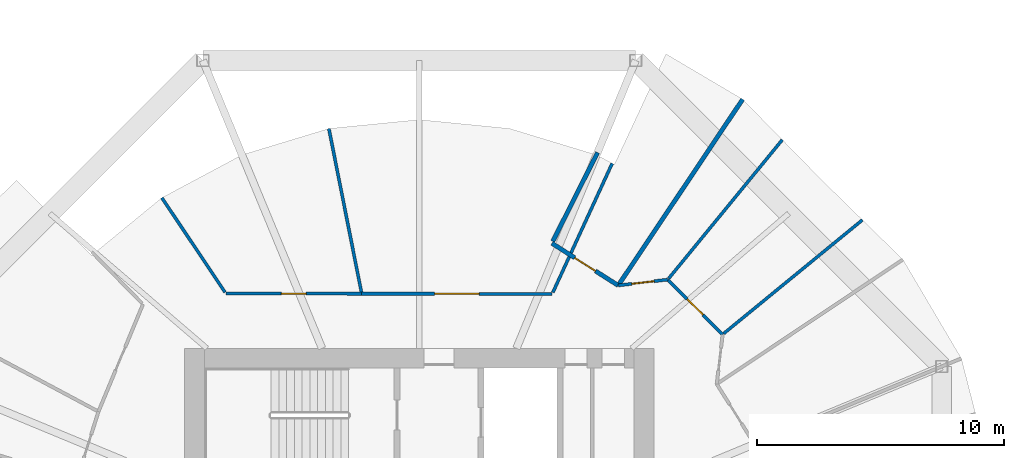
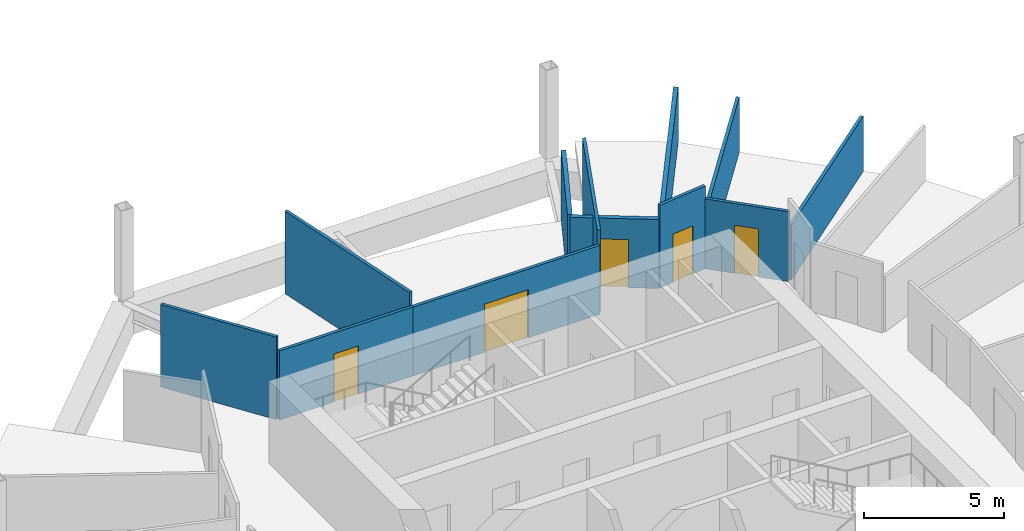
# One storey, part 6 of 10: 12 walls, 5 doors, 5 openings.
"""IFC4 building model written with IfcOpenShell, lengths in metres."""

from ifc_helpers import new_model, si_unit, direction, frame, frame_2d, origin, place, context, subcontext, project, spatial, rectangle, extrude, material, layer, layer_set, type_object, element, fill, save


model = new_model("IFC4")

# Units and contexts
model_context = context("Model", 3, precision=1e-05, world=origin(), true_north=direction((0.0, 1.0)))
body_context = subcontext(model_context, "Body", "Model", "MODEL_VIEW")
ifc_project = project(units=[si_unit("LENGTHUNIT", "METRE"), si_unit("AREAUNIT", "SQUARE_METRE"), si_unit("VOLUMEUNIT", "CUBIC_METRE"), si_unit("PLANEANGLEUNIT", "RADIAN"), si_unit("MASSUNIT", "GRAM", prefix="KILO")], contexts=[model_context])

# Site, building, storey
site_placement = place(None, origin())
site = spatial("IfcSite", under=ifc_project, at=site_placement, CompositionType="ELEMENT")
building_placement = place(site_placement, origin())
building = spatial("IfcBuilding", under=site, at=building_placement, Name="Ogive Gate Towers", CompositionType="ELEMENT")
storey_placement = place(building_placement, frame((0.0, 0.0, 59.699951171875)))
storey = spatial("IfcBuildingStorey", under=building, at=storey_placement, Name="L13", CompositionType="ELEMENT", Elevation=59.699951171875)

# Walls
ifc_material_1 = material(Name="Gypsum board acoustic partition")
ifc_layer_1 = layer(ifc_material_1, 0.175048828125)
ifc_layer_set_1 = layer_set([ifc_layer_1], Name="Acoustic partition 175")
wall_type_1 = type_object("IfcWallType", Name="Acoustic partition 175", PredefinedType="PARTITIONING", material=ifc_layer_set_1)
wall_1_placement = place(storey_placement, frame((-22.904541015625, 19.584716796875, 0.0), z_axis=(0.0, 0.0, 1.0), x_axis=(-0.555860151224, -0.831275822024, 0.0)))
element("IfcWall", 1, at=wall_1_placement, inside=storey, type_object=wall_type_1, Name="Partition T1-L13-007", PredefinedType="PARTITIONING", context=body_context, shape_type="SweptSolid", body=[
    extrude(rectangle(XDim=8.9814453125, YDim=0.175048828125, at=frame_2d((4.49072265625, 0.0))), origin(), (0.0, 0.0, 1.0), 2.400146484375),
])
wall_2_placement = place(storey_placement, frame((-28.782470703125, 17.4248046875, 0.0), z_axis=(0.0, 0.0, 1.0), x_axis=(-0.450172646512, -0.892941536906, 0.0)))
element("IfcWall", 2, at=wall_2_placement, inside=storey, type_object=wall_type_1, Name="Partition T1-L13-009", PredefinedType="PARTITIONING", context=body_context, shape_type="SweptSolid", body=[
    extrude(rectangle(XDim=4.02294921875, YDim=0.175048828125, at=frame_2d((2.011474609375, 0.0))), origin(), (0.0, 0.0, 1.0), 3.010009765625),
])

# Wall, opening, door
wall_3_placement = place(storey_placement, frame((-30.625244140625, 13.751220703125, 0.0), z_axis=(0.0, 0.0, 1.0), x_axis=(0.843651992717, -0.536890412639, 0.0)))
wall_3 = element("IfcWall", 3, at=wall_3_placement, inside=storey, type_object=wall_type_1, Name="Partition T1-L13-032", PredefinedType="PARTITIONING", context=body_context, shape_type="SweptSolid", body=[
    extrude(rectangle(XDim=3.17626953125, YDim=0.175048828125, at=frame_2d((1.588134765625, 0.0))), origin(), (0.0, 0.0, 1.0), 3.010009765625),
])
opening_1_placement = place(wall_3_placement, frame((1.087890625, 0.0, 0.0)))
opening_1 = element("IfcOpeningElement", 4, at=opening_1_placement, cuts=wall_3, Name="Opening T1-L13-D05", PredefinedType="OPENING", context=body_context, shape_type="SweptSolid", body=[
    extrude(rectangle(XDim=1.0, YDim=2.10009765625, at=frame_2d((0.5, 1.050048828125))), frame((0.0, 0.09765625, 0.0), z_axis=(0.0, -1.0, 0.0), x_axis=(1.0, 0.0, 0.0)), (0.0, 0.0, 1.0), 0.195068359375),
])
ifc_material_2 = material(Name="Timber door", Category="wood")
door_type_1 = type_object("IfcDoorType", Name="Door 1000", OperationType="NOTDEFINED", PredefinedType="DOOR", material=ifc_material_2)
door_1_placement = place(opening_1_placement, origin())
door_1 = element("IfcDoor", 5, at=door_1_placement, inside=storey, type_object=door_type_1, Name="Door T1-L13-D05", OperationType="SINGLE_SWING_LEFT", OverallHeight=2.10009765625, OverallWidth=1.0, PredefinedType="DOOR", context=body_context, shape_type="SweptSolid", body=[
    extrude(rectangle(XDim=1.0, YDim=2.10009765625, at=frame_2d((0.5, 1.050048828125))), frame((0.0, 0.02490234375, 0.0), z_axis=(0.0, -1.0, 0.0), x_axis=(1.0, 0.0, 0.0)), (0.0, 0.0, 1.0), 0.050048828125),
])
fill(opening_1, door_1)

# Walls
ifc_material_3 = material(Name="Gypsum board partition")
ifc_layer_2 = layer(ifc_material_3, 0.125)
ifc_layer_set_2 = layer_set([ifc_layer_2], Name="Partition 125")
wall_type_2 = type_object("IfcWallType", Name="Partition 125", PredefinedType="PARTITIONING", material=ifc_layer_set_2)
for number, where, z_axis, x_axis, name in (
    (6, (-18.055419921875, 14.699951171875, 0.0), (0.0, 0.0, 1.0), (-0.773585412, -0.633692046928, 0.0), "Partition T1-L13-005"),
    (7, (-21.300048828125, 17.944580078125, 0.0), (0.0, 0.0, 1.0), (-0.633692046928, -0.773585412, 0.0), "Partition T1-L13-006"),
):
    element("IfcWall", number, at=place(storey_placement, frame(where, z_axis=z_axis, x_axis=x_axis)), inside=storey, type_object=wall_type_2, Name=name, PredefinedType="PARTITIONING", context=body_context, shape_type="SweptSolid", body=[
        extrude(rectangle(XDim=7.256591796875, YDim=0.125, at=frame_2d((3.62841796875, 0.0))), origin(), (0.0, 0.0, 1.0), 2.400146484375),
    ])
wall_4_placement = place(storey_placement, frame((-28.186279296875, 16.99169921875, 0.0), z_axis=(0.0, 0.0, 1.0), x_axis=(-0.417796390865, -0.908540684714, 0.0)))
element("IfcWall", 8, at=wall_4_placement, inside=storey, type_object=wall_type_2, Name="Partition T1-L13-008", PredefinedType="PARTITIONING", context=body_context, shape_type="SweptSolid", body=[
    extrude(rectangle(XDim=5.75634765625, YDim=0.125, at=frame_2d((2.878173828125, 0.0))), origin(), (0.0, 0.0, 1.0), 3.60009765625),
])
wall_5_placement = place(storey_placement, frame((-39.659912109375, 18.39892578125, 0.0), z_axis=(0.0, 0.0, 1.0), x_axis=(0.195094511447, -0.980784447064, 0.0)))
element("IfcWall", 9, at=wall_5_placement, inside=storey, type_object=wall_type_2, Name="Partition T1-L13-010", PredefinedType="PARTITIONING", context=body_context, shape_type="SweptSolid", body=[
    extrude(rectangle(XDim=6.75634765625, YDim=0.125, at=frame_2d((3.378173828125, 0.0))), origin(), (0.0, 0.0, 1.0), 3.60009765625),
])
wall_6_placement = place(storey_placement, frame((-46.422119140625, 15.597900390625, 0.0), z_axis=(0.0, 0.0, 1.0), x_axis=(0.555556071931, -0.831479074265, 0.0)))
element("IfcWall", 10, at=wall_6_placement, inside=storey, type_object=wall_type_2, Name="Partition T1-L13-011", PredefinedType="PARTITIONING", context=body_context, shape_type="SweptSolid", body=[
    extrude(rectangle(XDim=4.6064453125, YDim=0.125, at=frame_2d((2.30322265625, 0.0))), origin(), (0.0, 0.0, 1.0), 3.60009765625),
])

# Wall, opening, door
wall_7_placement = place(storey_placement, frame((-43.828125, 11.7158203125, 0.0), z_axis=(0.0, 0.0, 1.0), x_axis=(0.999999644153, -0.000843619272, 0.0)))
wall_7 = element("IfcWall", 11, at=wall_7_placement, inside=storey, type_object=wall_type_2, Name="Partition T1-L13-030", PredefinedType="PARTITIONING", context=body_context, shape_type="SweptSolid", body=[
    extrude(rectangle(XDim=5.49853515625, YDim=0.125, at=frame_2d((2.749267578125, 0.0))), origin(), (0.0, 0.0, 1.0), 3.010009765625),
])
opening_2_placement = place(wall_7_placement, frame((2.2490234375, 0.0, 0.0)))
opening_2 = element("IfcOpeningElement", 12, at=opening_2_placement, cuts=wall_7, Name="Opening T1-L13-D03", PredefinedType="OPENING", context=body_context, shape_type="SweptSolid", body=[
    extrude(rectangle(XDim=1.0, YDim=2.10009765625, at=frame_2d((0.5, 1.050048828125))), frame((0.0, 0.072509765625, 0.0), z_axis=(0.0, -1.0, 0.0), x_axis=(1.0, 0.0, 0.0)), (0.0, 0.0, 1.0), 0.14501953125),
])
door_2_placement = place(opening_2_placement, origin())
door_2 = element("IfcDoor", 13, at=door_2_placement, inside=storey, type_object=door_type_1, Name="Door T1-L13-D03", OperationType="SINGLE_SWING_RIGHT", OverallHeight=2.10009765625, OverallWidth=1.0, PredefinedType="DOOR", context=body_context, shape_type="SweptSolid", body=[
    extrude(rectangle(XDim=1.0, YDim=2.10009765625, at=frame_2d((0.5, 1.050048828125))), frame((0.0, 0.02490234375, 0.0), z_axis=(0.0, -1.0, 0.0), x_axis=(1.0, 0.0, 0.0)), (0.0, 0.0, 1.0), 0.050048828125),
])
fill(opening_2, door_2)

wall_8_placement = place(storey_placement, frame((-38.32958984375, 11.711181640625, 0.0), z_axis=(0.0, 0.0, 1.0), x_axis=(0.999999686832, -0.000791414485, 0.0)))
wall_8 = element("IfcWall", 14, at=wall_8_placement, inside=storey, type_object=wall_type_2, Name="Partition T1-L13-031", PredefinedType="PARTITIONING", context=body_context, shape_type="SweptSolid", body=[
    extrude(rectangle(XDim=7.712158203125, YDim=0.125, at=frame_2d((3.85595703125, 0.0))), origin(), (0.0, 0.0, 1.0), 3.0),
])
opening_3_placement = place(wall_8_placement, frame((2.9560546875, 0.0, 0.0)))
opening_3 = element("IfcOpeningElement", 15, at=opening_3_placement, cuts=wall_8, Name="Opening T1-L13-D04", PredefinedType="OPENING", context=body_context, shape_type="SweptSolid", body=[
    extrude(rectangle(XDim=1.800048828125, YDim=2.10009765625, at=frame_2d((0.89990234375, 1.050048828125))), frame((0.0, 0.072509765625, 0.0), z_axis=(0.0, -1.0, 0.0), x_axis=(1.0, 0.0, 0.0)), (0.0, 0.0, 1.0), 0.14501953125),
])
door_type_2 = type_object("IfcDoorType", Name="Door pair 1800", OperationType="NOTDEFINED", PredefinedType="DOOR", material=ifc_material_2)
door_3_placement = place(opening_3_placement, origin())
door_3 = element("IfcDoor", 16, at=door_3_placement, inside=storey, type_object=door_type_2, Name="Door T1-L13-D04", OperationType="DOUBLE_DOOR_DOUBLE_SWING", OverallHeight=2.10009765625, OverallWidth=1.800048828125, PredefinedType="DOOR", context=body_context, shape_type="SweptSolid", body=[
    extrude(rectangle(XDim=1.800048828125, YDim=2.10009765625, at=frame_2d((0.89990234375, 1.050048828125))), frame((0.0, 0.02490234375, 0.0), z_axis=(0.0, -1.0, 0.0), x_axis=(1.0, 0.0, 0.0)), (0.0, 0.0, 1.0), 0.050048828125),
])
fill(opening_3, door_3)

wall_9_placement = place(storey_placement, frame((-27.945556640625, 12.0458984375, 0.0), z_axis=(0.0, 0.0, 1.0), x_axis=(0.993114283421, 0.117149562802, 0.0)))
wall_9 = element("IfcWall", 17, at=wall_9_placement, inside=storey, type_object=wall_type_2, Name="Partition T1-L13-033", PredefinedType="PARTITIONING", context=body_context, shape_type="SweptSolid", body=[
    extrude(rectangle(XDim=2.021484375, YDim=0.125, at=frame_2d((1.0107421875, 0.0))), origin(), (0.0, 0.0, 1.0), 3.60009765625),
])
opening_4_placement = place(wall_9_placement, frame((0.56103515625, 0.0, 0.0)))
opening_4 = element("IfcOpeningElement", 18, at=opening_4_placement, cuts=wall_9, Name="Opening T1-L13-D06", PredefinedType="OPENING", context=body_context, shape_type="SweptSolid", body=[
    extrude(rectangle(XDim=0.89990234375, YDim=2.10009765625, at=frame_2d((0.449951171875, 1.050048828125))), frame((0.0, 0.072509765625, 0.0), z_axis=(0.0, -1.0, 0.0), x_axis=(1.0, 0.0, 0.0)), (0.0, 0.0, 1.0), 0.14501953125),
])
door_type_3 = type_object("IfcDoorType", Name="Door 900", OperationType="NOTDEFINED", PredefinedType="DOOR", material=ifc_material_2)
door_4_placement = place(opening_4_placement, origin())
door_4 = element("IfcDoor", 19, at=door_4_placement, inside=storey, type_object=door_type_3, Name="Door T1-L13-D06", OperationType="SINGLE_SWING_LEFT", OverallHeight=2.10009765625, OverallWidth=0.89990234375, PredefinedType="DOOR", context=body_context, shape_type="SweptSolid", body=[
    extrude(rectangle(XDim=0.89990234375, YDim=2.10009765625, at=frame_2d((0.449951171875, 1.050048828125))), frame((0.0, 0.02490234375, 0.0), z_axis=(0.0, -1.0, 0.0), x_axis=(1.0, 0.0, 0.0)), (0.0, 0.0, 1.0), 0.050048828125),
])
fill(opening_4, door_4)

wall_10_placement = place(storey_placement, frame((-25.93798828125, 12.28271484375, 0.0), z_axis=(0.0, 0.0, 1.0), x_axis=(0.707106781187, -0.707106781187, 0.0)))
wall_10 = element("IfcWall", 20, at=wall_10_placement, inside=storey, type_object=wall_type_2, Name="Partition T1-L13-034", PredefinedType="PARTITIONING", context=body_context, shape_type="SweptSolid", body=[
    extrude(rectangle(XDim=3.140625, YDim=0.125, at=frame_2d((1.5703125, 0.0))), origin(), (0.0, 0.0, 1.0), 3.050048828125),
])
opening_5_placement = place(wall_10_placement, frame((1.1201171875, 0.0, 0.0)))
opening_5 = element("IfcOpeningElement", 21, at=opening_5_placement, cuts=wall_10, Name="Opening T1-L13-D07", PredefinedType="OPENING", context=body_context, shape_type="SweptSolid", body=[
    extrude(rectangle(XDim=0.89990234375, YDim=2.10009765625, at=frame_2d((0.449951171875, 1.050048828125))), frame((0.0, 0.072509765625, 0.0), z_axis=(0.0, -1.0, 0.0), x_axis=(1.0, 0.0, 0.0)), (0.0, 0.0, 1.0), 0.14501953125),
])
door_5_placement = place(opening_5_placement, origin())
door_5 = element("IfcDoor", 22, at=door_5_placement, inside=storey, type_object=door_type_3, Name="Door T1-L13-D07", OperationType="SINGLE_SWING_RIGHT", OverallHeight=2.10009765625, OverallWidth=0.89990234375, PredefinedType="DOOR", context=body_context, shape_type="SweptSolid", body=[
    extrude(rectangle(XDim=0.89990234375, YDim=2.10009765625, at=frame_2d((0.449951171875, 1.050048828125))), frame((0.0, 0.02490234375, 0.0), z_axis=(0.0, -1.0, 0.0), x_axis=(1.0, 0.0, 0.0)), (0.0, 0.0, 1.0), 0.050048828125),
])
fill(opening_5, door_5)

save(model, "model.ifc")
